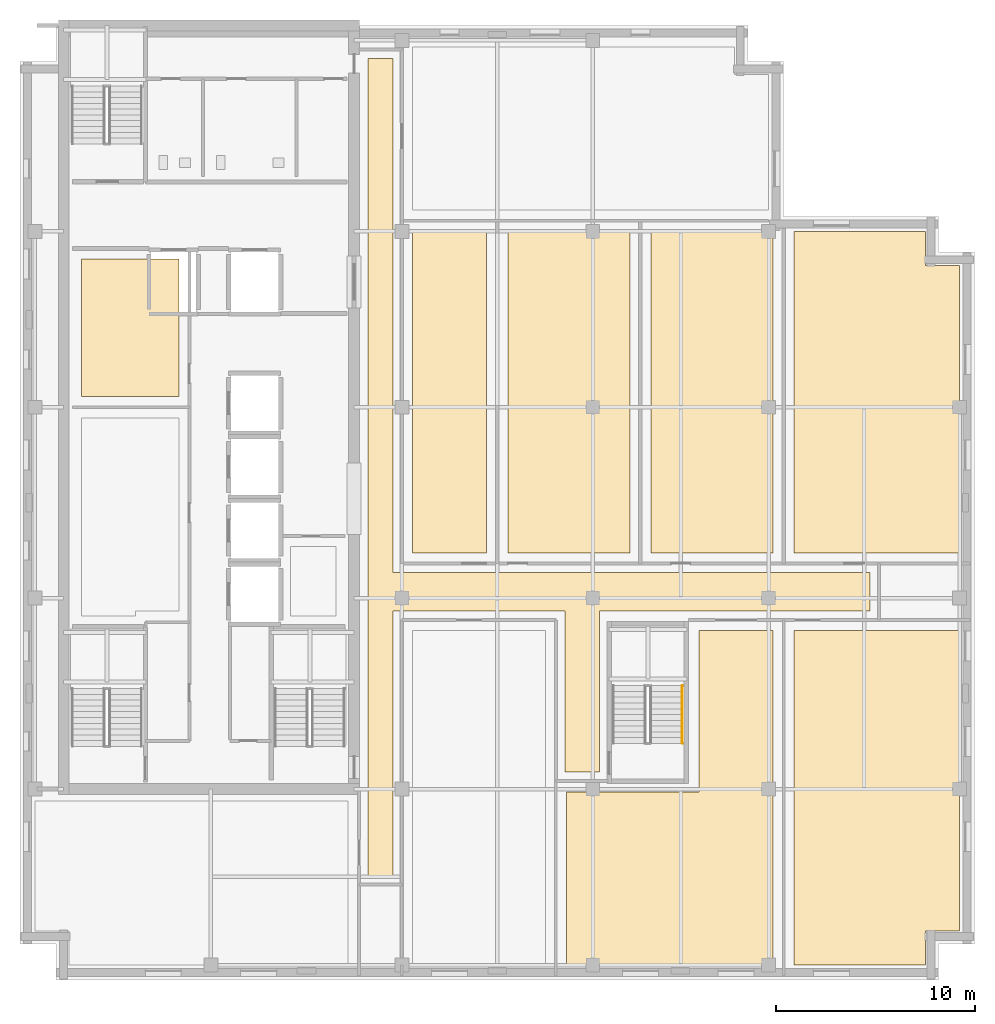
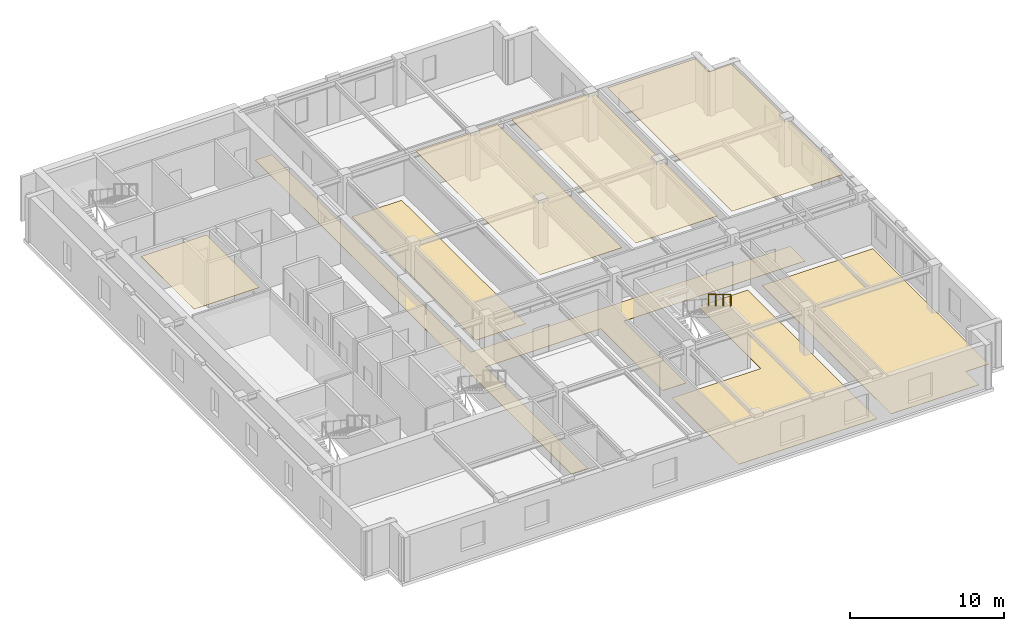
# One storey, part 9 of 11: 8 coverings, 1 railing.
"""IFC4 building model written with IfcOpenShell, lengths in metres."""

from ifc_helpers import new_model, si_unit, direction, frame, origin, origin_2d, place, context, subcontext, project, spatial, polyline, circle, outline, extrude, material, layer, layer_set, type_object, element, save


model = new_model("IFC4")

# Units and contexts
model_context = context("Model", 3, precision=1e-05, world=origin(), true_north=direction((0.0, 1.0)))
body_context = subcontext(model_context, "Body", "Model", "MODEL_VIEW")
ifc_project = project(units=[si_unit("LENGTHUNIT", "METRE"), si_unit("AREAUNIT", "SQUARE_METRE"), si_unit("VOLUMEUNIT", "CUBIC_METRE"), si_unit("PLANEANGLEUNIT", "RADIAN"), si_unit("MASSUNIT", "GRAM", prefix="KILO")], contexts=[model_context])

# Site, building, storey
site_placement = place(None, origin())
site = spatial("IfcSite", under=ifc_project, at=site_placement, CompositionType="ELEMENT")
building_placement = place(site_placement, origin())
building = spatial("IfcBuilding", under=site, at=building_placement, Name="Norrvale University Quadrangle", CompositionType="ELEMENT")
storey_placement = place(building_placement, frame((0.0, 0.0, 284.800048828125)))
storey = spatial("IfcBuildingStorey", under=building, at=storey_placement, Name="L72", CompositionType="ELEMENT", Elevation=284.800048828125)

# Coverings
ifc_material_1 = material(Name="Perforated Acoustic Mineral Ceiling")
ifc_layer_1 = layer(ifc_material_1, 0.02490234375, Name="Perforated Acoustic Mineral Ceiling")
ifc_layer_set_1 = layer_set([ifc_layer_1], Name="Perforated Acoustic Mineral Ceiling")
covering_type_1 = type_object("IfcCoveringType", Name="Covering Acoustic Ceiling 25", PredefinedType="CEILING", material=ifc_layer_set_1)
covering_1_placement = place(storey_placement, frame((0.0, 0.0, 3.514892578125)))
element("IfcCovering", 1, at=covering_1_placement, inside=storey, type_object=covering_type_1, Name="Acoustic Ceiling RM-L72-REC3", PredefinedType="CEILING", context=body_context, shape_type="SweptSolid", body=[
    extrude(outline(polyline([(3.10009765625, 29.35009765625), (3.10009765625, 36.25), (8.0, 36.25), (8.0, 29.35009765625), (3.10009765625, 29.35009765625)])), origin(), (0.0, 0.0, 1.0), 0.025146484375),
])
covering_2_placement = place(storey_placement, frame((0.0, 0.0, 3.514892578125)))
element("IfcCovering", 2, at=covering_2_placement, inside=storey, type_object=covering_type_1, Name="Acoustic Ceiling RM-L72-ME02", PredefinedType="CEILING", context=body_context, shape_type="SweptSolid", body=[
    extrude(outline(polyline([(24.530029296875, 37.64990234375), (30.669921875, 37.64990234375), (30.669921875, 21.47998046875), (24.530029296875, 21.47998046875), (24.530029296875, 37.64990234375)])), origin(), (0.0, 0.0, 1.0), 0.025146484375),
])
covering_3_placement = place(storey_placement, frame((0.0, 0.0, 3.514892578125)))
element("IfcCovering", 3, at=covering_3_placement, inside=storey, type_object=covering_type_1, Name="Acoustic Ceiling RM-L72-ME03", PredefinedType="CEILING", context=body_context, shape_type="SweptSolid", body=[
    extrude(outline(polyline([(31.72998046875, 37.64990234375), (37.8701171875, 37.64990234375), (37.8701171875, 21.47998046875), (31.72998046875, 21.47998046875), (31.72998046875, 37.64990234375)])), origin(), (0.0, 0.0, 1.0), 0.025146484375),
])
covering_4_placement = place(storey_placement, frame((0.0, 0.0, 3.514892578125)))
element("IfcCovering", 4, at=covering_4_placement, inside=storey, type_object=covering_type_1, Name="Acoustic Ceiling RM-L72-ME04", PredefinedType="CEILING", context=body_context, shape_type="SweptSolid", body=[
    extrude(outline(polyline([(47.25, 21.47998046875), (38.929931640625, 21.47998046875), (38.929931640625, 37.64990234375), (45.530029296875, 37.64990234375), (45.530029296875, 35.929931640625), (47.25, 35.929931640625), (47.25, 21.47998046875)])), origin(), (0.0, 0.0, 1.0), 0.025146484375),
])
ifc_material_2 = material(Name="Polished Terrazzo Flooring")
ifc_layer_2 = layer(ifc_material_2, 0.02490234375, Name="Polished Terrazzo Flooring")
ifc_layer_set_2 = layer_set([ifc_layer_2], Name="Polished Terrazzo Flooring")
covering_type_2 = type_object("IfcCoveringType", Name="Covering Terrazzo Floor 30", PredefinedType="FLOORING", material=ifc_layer_set_2)
covering_5_placement = place(storey_placement, origin())
element("IfcCovering", 5, at=covering_5_placement, inside=storey, type_object=covering_type_2, Name="Terrazzo Flooring RM-L72-CORR1", PredefinedType="FLOORING", context=body_context, shape_type="SweptSolid", body=[
    extrude(outline(polyline([(17.5, 5.25), (17.5, 46.35009765625), (18.75, 46.35009765625), (18.75, 20.5), (42.75, 20.5), (42.75, 18.550048828125), (29.1298828125, 18.550048828125), (29.1298828125, 10.449951171875), (27.39990234375, 10.449951171875), (27.39990234375, 18.550048828125), (18.75, 18.550048828125), (18.75, 5.25), (17.5, 5.25)])), origin(), (0.0, 0.0, 1.0), 0.02490234375),
])
covering_6_placement = place(storey_placement, origin())
element("IfcCovering", 6, at=covering_6_placement, inside=storey, type_object=covering_type_2, Name="Terrazzo Flooring RM-L72-SE2", PredefinedType="FLOORING", context=body_context, shape_type="SweptSolid", body=[
    extrude(outline(polyline([(27.47998046875, 9.449951171875), (34.14990234375, 9.449951171875), (34.14990234375, 17.570068359375), (37.8701171875, 17.570068359375), (37.8701171875, 0.75), (27.47998046875, 0.75), (27.47998046875, 9.449951171875)])), origin(), (0.0, 0.0, 1.0), 0.02490234375),
])
covering_7_placement = place(storey_placement, origin())
element("IfcCovering", 7, at=covering_7_placement, inside=storey, type_object=covering_type_2, Name="Terrazzo Flooring RM-L72-SE3", PredefinedType="FLOORING", context=body_context, shape_type="SweptSolid", body=[
    extrude(outline(polyline([(38.929931640625, 0.75), (38.929931640625, 17.570068359375), (47.25, 17.570068359375), (47.25, 2.469970703125), (45.530029296875, 2.469970703125), (45.530029296875, 0.75), (38.929931640625, 0.75)])), origin(), (0.0, 0.0, 1.0), 0.02490234375),
])
covering_8_placement = place(storey_placement, origin())
element("IfcCovering", 8, at=covering_8_placement, inside=storey, type_object=covering_type_2, Name="Terrazzo Flooring RM-L72-ME01", PredefinedType="FLOORING", context=body_context, shape_type="SweptSolid", body=[
    extrude(outline(polyline([(19.72998046875, 37.64990234375), (23.469970703125, 37.64990234375), (23.469970703125, 21.47998046875), (19.72998046875, 21.47998046875), (19.72998046875, 37.64990234375)])), origin(), (0.0, 0.0, 1.0), 0.02490234375),
])

# Railing
ifc_material_3 = material(Name="Stainless Steel 316L Handrail", Category="steel")
railing_type = type_object("IfcRailingType", Name="Railing Stair Handrail 920", PredefinedType="HANDRAIL", material=ifc_material_3)
railing_placement = place(storey_placement, frame((33.31005859375, 14.800048828125, 2.07275390625)))
element("IfcRailing", 9, at=railing_placement, inside=storey, type_object=railing_type, Name="Stair Upper Flight Handrail ST-04 L72", PredefinedType="HANDRAIL", context=body_context, shape_type="SweptSolid", body=[
    extrude(circle(Radius=0.02392578125, at=origin_2d()), frame((0.0, 0.0, 0.89599609375), z_axis=(0.0, -0.859160404282, 0.51170636083), x_axis=(1.0, 0.0, 0.0)), (0.0, 0.0, 1.0), 3.37548828125),
    extrude(circle(Radius=0.02099609375, at=origin_2d()), origin(), (0.0, 0.0, 1.0), 0.871826171875),
    extrude(circle(Radius=0.02099609375, at=origin_2d()), frame((0.0, -0.966796875, 0.57568359375)), (0.0, 0.0, 1.0), 0.871826171875),
    extrude(circle(Radius=0.02099609375, at=origin_2d()), frame((0.0, -1.933349609375, 1.151611328125)), (0.0, 0.0, 1.0), 0.871826171875),
    extrude(circle(Radius=0.02099609375, at=origin_2d()), frame((0.0, -2.900146484375, 1.727294921875)), (0.0, 0.0, 1.0), 0.871826171875),
])

save(model, "model.ifc")
